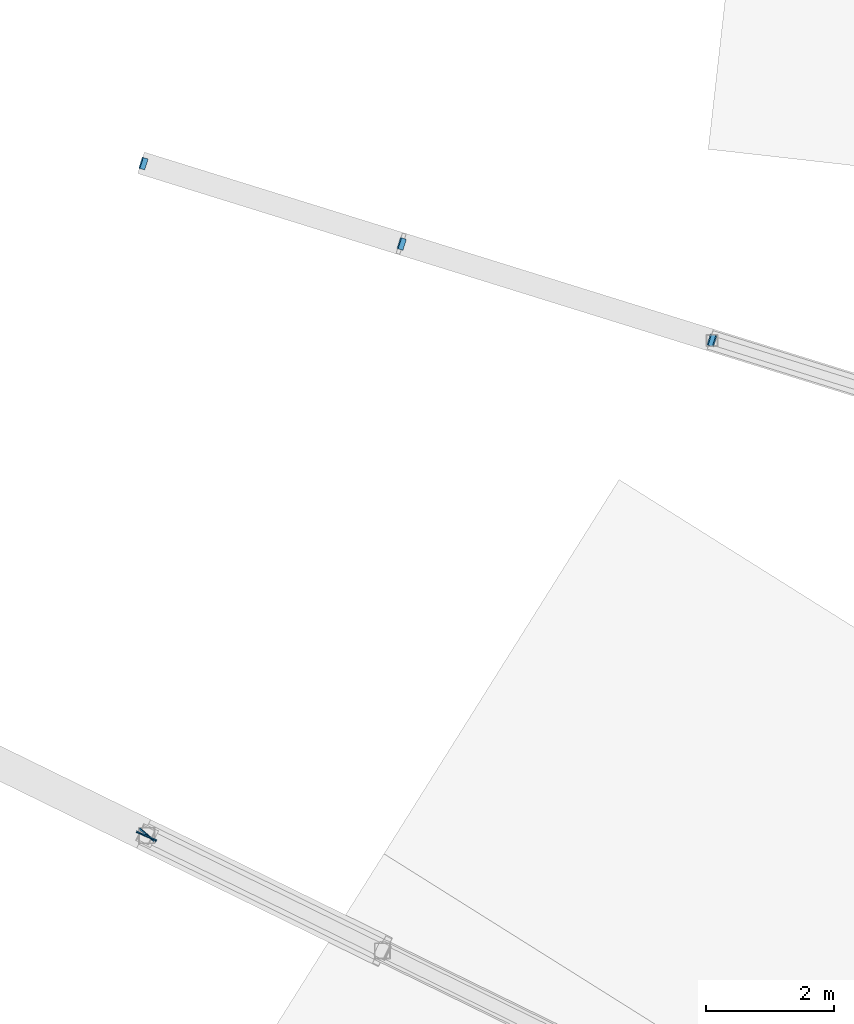
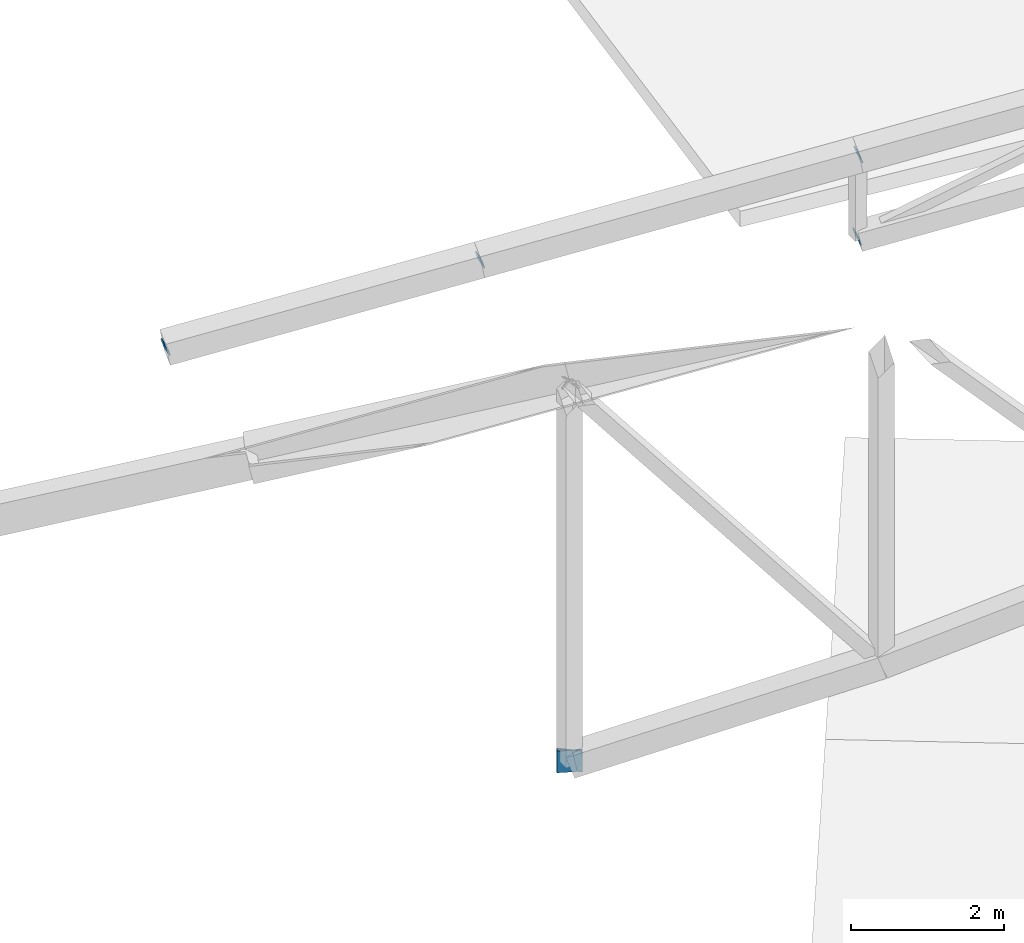
# One storey, part 145 of 188: 6 discrete accessories.
"""IFC4 building model written with IfcOpenShell, lengths in metres."""

from ifc_helpers import new_model, si_unit, direction, frame, origin, origin_2d, place, context, subcontext, project, spatial, rectangle, extrude, material, material_profile, profile_set, type_object, element, save


model = new_model("IFC4")

# Units and contexts
model_context = context("Model", 3, precision=1e-05, world=origin(), true_north=direction((0.0, 1.0)))
body_context = subcontext(model_context, "Body", "Model", "MODEL_VIEW")
ifc_project = project(units=[si_unit("LENGTHUNIT", "METRE"), si_unit("AREAUNIT", "SQUARE_METRE"), si_unit("VOLUMEUNIT", "CUBIC_METRE"), si_unit("PLANEANGLEUNIT", "RADIAN"), si_unit("MASSUNIT", "GRAM", prefix="KILO")], contexts=[model_context])

# Site, building, storey
site_placement = place(None, origin())
site = spatial("IfcSite", under=ifc_project, at=site_placement, CompositionType="ELEMENT")
building_placement = place(site_placement, origin())
building = spatial("IfcBuilding", under=site, at=building_placement, Name="Meseta Stadium", CompositionType="ELEMENT")
storey_placement = place(building_placement, frame((0.0, 0.0, 30.0)))
storey = spatial("IfcBuildingStorey", under=building, at=storey_placement, Name="ROOF", CompositionType="ELEMENT", Elevation=30.0)

# Discrete accessories
ifc_material_1 = material(Name="Steel S355", Category="steel")
ifc_material_profile_1 = material_profile(ifc_material_1, rectangle(XDim=0.179931640625, YDim=0.179931640625, at=origin_2d()), Name="PL 180x180")
ifc_profile_set_1 = profile_set([ifc_material_profile_1], Name="Steel S355")
discrete_accessory_type_1 = type_object("IfcDiscreteAccessoryType", Name="End plate 180x180x20", PredefinedType="ANCHORPLATE", material=ifc_profile_set_1)
for number, where, z_axis, x_axis, name in (
    (1, (78.137451171875, -61.780029296875, 1.04931640625), (0.856465372407, -0.269174831328, 0.440467905809), (0.29982659674, 0.953993716901, 0.0), "End plate of ROOF TRUSS RT-55 diagonal"),
    (2, (82.169189453125, -63.03369140625, 1.795654296875), (0.856465372407, -0.269174831328, 0.440467905809), (0.29982659674, 0.953993716901, 0.0), "End plate of ROOF TRUSS RT-55 diagonal"),
    (3, (87.02099609375, -64.542724609375, 2.69384765625), (0.875902038268, -0.267636733915, 0.401455100873), (0.292218535599, 0.956351571051, 0.0), "End plate of ROOF TRUSS RT-55 diagonal"),
    (4, (87.00341796875, -64.537353515625, 1.385986328125), (0.880145616382, -0.268933382783, 0.391175829503), (0.292218535599, 0.956351571051, 0.0), "End plate of ROOF TRUSS RT-55 diagonal"),
):
    element("IfcDiscreteAccessory", number, at=place(storey_placement, frame(where, z_axis=z_axis, x_axis=x_axis)), inside=storey, type_object=discrete_accessory_type_1, Name=name, PredefinedType="ANCHORPLATE", context=body_context, shape_type="SweptSolid", body=[
        extrude(rectangle(XDim=0.179931640625, YDim=0.179931640625, at=origin_2d()), origin(), (0.0, 0.0, 1.0), 0.02001953125),
    ])
ifc_material_2 = material(Name="Steel S355", Category="steel")
ifc_material_profile_2 = material_profile(ifc_material_2, rectangle(XDim=0.340087890625, YDim=0.340087890625, at=origin_2d()), Name="PL 340x340")
ifc_profile_set_2 = profile_set([ifc_material_profile_2], Name="Steel S355")
discrete_accessory_type_2 = type_object("IfcDiscreteAccessoryType", Name="End plate 340x340x20", PredefinedType="ANCHORPLATE", material=ifc_profile_set_2)
for number, where, z_axis, x_axis, name in (
    (5, (78.197998046875, -72.27197265625, 0.785400390625), (0.649342091356, 0.75960772951, 0.036755212718), (-0.760121344352, 0.649781149204, 0.0), "End plate of ROOF PIVOT STRUT RT-53/54"),
    (6, (78.18994140625, -72.290283203125, 0.785888671875), (0.402618698047, 0.91504249556, -0.024401133215), (-0.915315032423, 0.402738614266, 0.0), "End plate of ROOF PIVOT STRUT RT-54/55"),
):
    element("IfcDiscreteAccessory", number, at=place(storey_placement, frame(where, z_axis=z_axis, x_axis=x_axis)), inside=storey, type_object=discrete_accessory_type_2, Name=name, PredefinedType="ANCHORPLATE", context=body_context, shape_type="SweptSolid", body=[
        extrude(rectangle(XDim=0.340087890625, YDim=0.340087890625, at=origin_2d()), origin(), (0.0, 0.0, 1.0), 0.02001953125),
    ])

save(model, "model.ifc")
